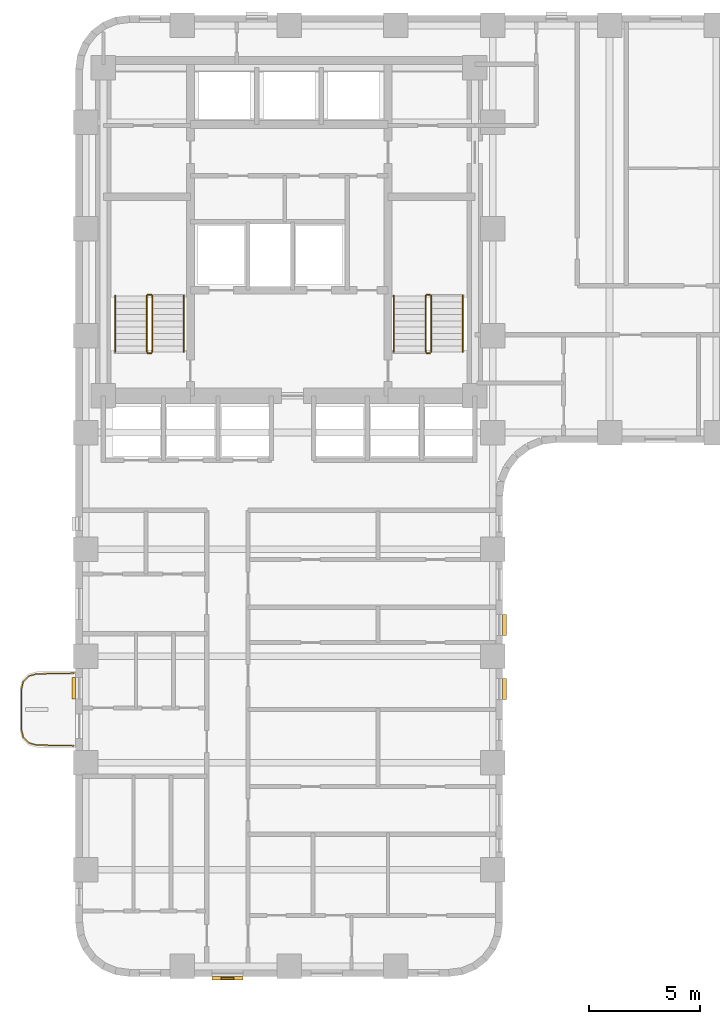
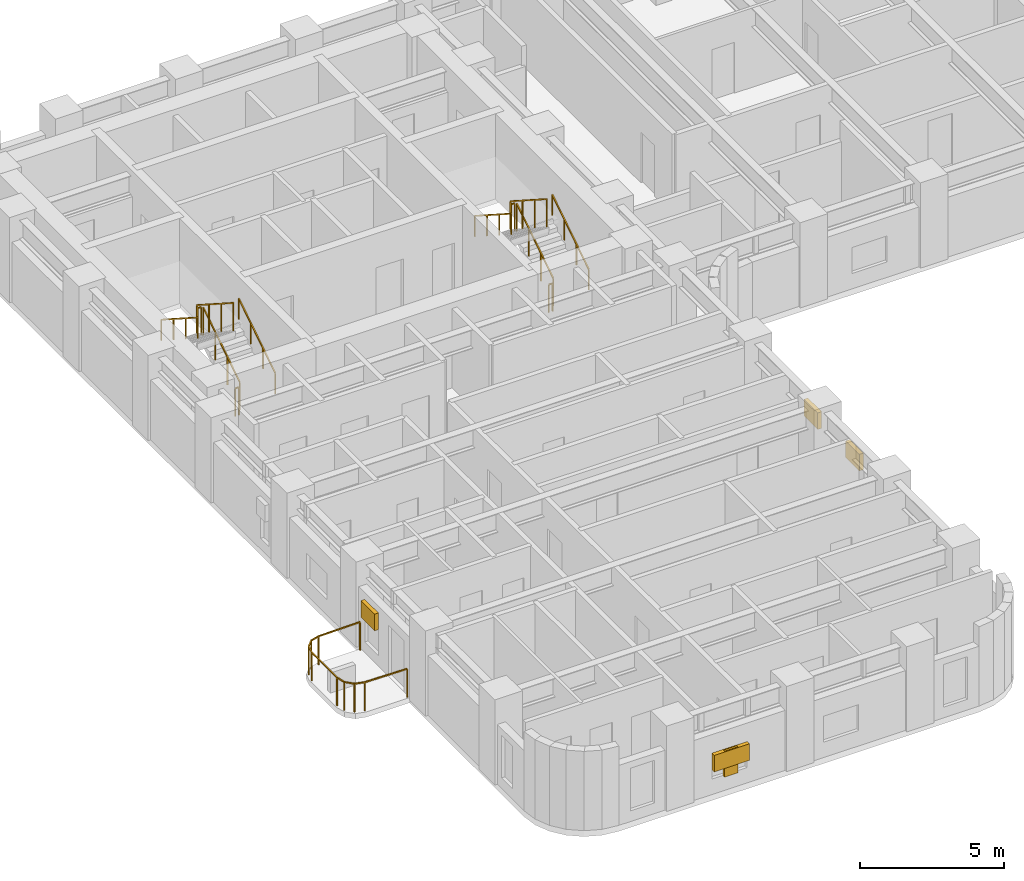
# One storey, part 9 of 12: 13 railings, 5 shading devices.
"""IFC4 building model written with IfcOpenShell, lengths in metres."""

from ifc_helpers import new_model, si_unit, direction, frame, origin, origin_2d, place, context, subcontext, project, spatial, rectangle, extrude, material, type_object, element, save


model = new_model("IFC4")

# Units and contexts
model_context = context("Model", 3, precision=1e-05, world=origin(), true_north=direction((0.0, 1.0)))
body_context = subcontext(model_context, "Body", "Model", "MODEL_VIEW")
ifc_project = project(units=[si_unit("LENGTHUNIT", "METRE"), si_unit("AREAUNIT", "SQUARE_METRE"), si_unit("VOLUMEUNIT", "CUBIC_METRE"), si_unit("PLANEANGLEUNIT", "RADIAN"), si_unit("MASSUNIT", "GRAM", prefix="KILO")], contexts=[model_context])

# Site, building, storey
site_placement = place(None, origin())
site = spatial("IfcSite", under=ifc_project, at=site_placement, CompositionType="ELEMENT")
building_placement = place(site_placement, origin())
building = spatial("IfcBuilding", under=site, at=building_placement, Name="Orvandelia Arch Residences", CompositionType="ELEMENT")
storey_placement = place(building_placement, frame((0.0, 0.0, 35.800048828125)))
storey = spatial("IfcBuildingStorey", under=building, at=storey_placement, Name="L08", CompositionType="ELEMENT", Elevation=35.800048828125)

# Railings
ifc_material_1 = material(Name="Marine-Grade Stainless Steel 316", Category="steel")
railing_type_1 = type_object("IfcRailingType", Name="GRD-BAL-1200", PredefinedType="BALUSTRADE", material=ifc_material_1)
railing_1_placement = place(storey_placement, frame((4.728271484375, 18.430419921875, 0.0)))
element("IfcRailing", 1, at=railing_1_placement, inside=storey, type_object=railing_type_1, Name="Safety Balustrade Guard GRD-L08-BAL-L08-W1-1", PredefinedType="BALUSTRADE", context=body_context, shape_type="SweptSolid", body=[
    extrude(rectangle(XDim=0.048095703125, YDim=0.048095703125, at=origin_2d()), frame((0.0, 0.0, 1.19580078125), z_axis=(-0.999834751713, -0.018178813668, 0.0), x_axis=(0.018178813668, -0.999834751713, 0.0)), (0.0, 0.0, 1.0), 1.6787109375),
    extrude(rectangle(XDim=0.048095703125, YDim=0.048095703125, at=origin_2d()), frame((-1.678466796875, -0.030517578125, 1.19580078125), z_axis=(-0.96348920644, -0.267747173792, 0.0), x_axis=(0.267747173792, -0.96348920644, 0.0)), (0.0, 0.0, 1.0), 0.36572265625),
    extrude(rectangle(XDim=0.048095703125, YDim=0.048095703125, at=origin_2d()), frame((-2.03076171875, -0.12841796875, 1.19580078125), z_axis=(-0.688627404251, -0.725115368831, 0.0), x_axis=(0.725115368831, -0.688627404251, 0.0)), (0.0, 0.0, 1.0), 0.367919921875),
    extrude(rectangle(XDim=0.048095703125, YDim=0.048095703125, at=origin_2d()), frame((-2.2841796875, -0.395263671875, 1.19580078125), z_axis=(-0.220602419982, -0.975363815352, 0.0), x_axis=(0.975363815352, -0.220602419982, 0.0)), (0.0, 0.0, 1.0), 0.373046875),
    extrude(rectangle(XDim=0.048095703125, YDim=0.048095703125, at=origin_2d()), frame((-2.366455078125, -0.759033203125, 1.19580078125), z_axis=(0.0, -1.0, 0.0), x_axis=(1.0, 0.0, 0.0)), (0.0, 0.0, 1.0), 1.74267578125),
    extrude(rectangle(XDim=0.048095703125, YDim=0.048095703125, at=origin_2d()), frame((-2.366455078125, -2.501708984375, 1.19580078125), z_axis=(0.220602419982, -0.975363815352, 0.0), x_axis=(0.975363815352, 0.220602419982, 0.0)), (0.0, 0.0, 1.0), 0.373046875),
    extrude(rectangle(XDim=0.048095703125, YDim=0.048095703125, at=origin_2d()), frame((-2.2841796875, -2.865478515625, 1.19580078125), z_axis=(0.688296224633, -0.725429739642, 0.0), x_axis=(0.725429739642, 0.688296224633, 0.0)), (0.0, 0.0, 1.0), 0.3681640625),
    extrude(rectangle(XDim=0.048095703125, YDim=0.048095703125, at=origin_2d()), frame((-2.03076171875, -3.132568359375, 1.19580078125), z_axis=(0.96348920644, -0.267747173792, 0.0), x_axis=(0.267747173792, 0.96348920644, 0.0)), (0.0, 0.0, 1.0), 0.36572265625),
    extrude(rectangle(XDim=0.048095703125, YDim=0.048095703125, at=origin_2d()), frame((-1.678466796875, -3.23046875, 1.19580078125), z_axis=(0.999837384468, -0.018033430643, 0.0), x_axis=(0.018033430643, 0.999837384468, 0.0)), (0.0, 0.0, 1.0), 1.6787109375),
    extrude(rectangle(XDim=0.0419921875, YDim=0.0419921875, at=origin_2d()), origin(), (0.0, 0.0, 1.0), 1.171875),
    extrude(rectangle(XDim=0.0419921875, YDim=0.0419921875, at=origin_2d()), frame((-1.678466796875, -0.030517578125, 0.0)), (0.0, 0.0, 1.0), 1.171875),
    extrude(rectangle(XDim=0.0419921875, YDim=0.0419921875, at=origin_2d()), frame((-2.03076171875, -0.12841796875, 0.0)), (0.0, 0.0, 1.0), 1.171875),
    extrude(rectangle(XDim=0.0419921875, YDim=0.0419921875, at=origin_2d()), frame((-2.2841796875, -0.395263671875, 0.0)), (0.0, 0.0, 1.0), 1.171875),
    extrude(rectangle(XDim=0.0419921875, YDim=0.0419921875, at=origin_2d()), frame((-2.366455078125, -0.759033203125, 0.0)), (0.0, 0.0, 1.0), 1.171875),
    extrude(rectangle(XDim=0.0419921875, YDim=0.0419921875, at=origin_2d()), frame((-2.366455078125, -2.501708984375, 0.0)), (0.0, 0.0, 1.0), 1.171875),
    extrude(rectangle(XDim=0.0419921875, YDim=0.0419921875, at=origin_2d()), frame((-2.2841796875, -2.865478515625, 0.0)), (0.0, 0.0, 1.0), 1.171875),
    extrude(rectangle(XDim=0.0419921875, YDim=0.0419921875, at=origin_2d()), frame((-2.03076171875, -3.132568359375, 0.0)), (0.0, 0.0, 1.0), 1.171875),
    extrude(rectangle(XDim=0.0419921875, YDim=0.0419921875, at=origin_2d()), frame((-1.678466796875, -3.23046875, 0.0)), (0.0, 0.0, 1.0), 1.171875),
    extrude(rectangle(XDim=0.0419921875, YDim=0.0419921875, at=origin_2d()), frame((0.0, -3.2607421875, 0.0)), (0.0, 0.0, 1.0), 1.171875),
])
ifc_material_2 = material(Name="Brushed Stainless Steel 304", Category="steel")
railing_type_2 = type_object("IfcRailingType", Name="RL-STAIR-GD1120", PredefinedType="GUARDRAIL", material=ifc_material_2)
railing_2_placement = place(storey_placement, frame((8.25, 32.8701171875, 0.179931640625)))
element("IfcRailing", 2, at=railing_2_placement, inside=storey, type_object=railing_type_2, Name="L08 ST-1 stair guard 1", PredefinedType="GUARDRAIL", context=body_context, shape_type="SweptSolid", body=[
    extrude(rectangle(XDim=0.048095703125, YDim=0.048095703125, at=origin_2d()), frame((0.0, 0.0, 1.17578125), z_axis=(0.0, 0.841138753965, 0.540819375188), x_axis=(-1.0, 0.0, 0.0)), (0.0, 0.0, 1.0), 2.99560546875),
    extrude(rectangle(XDim=0.0419921875, YDim=0.0419921875, at=origin_2d()), origin(), (0.0, 0.0, 1.0), 1.15185546875),
    extrude(rectangle(XDim=0.0419921875, YDim=0.0419921875, at=origin_2d()), frame((0.0, 0.83984375, 0.5400390625)), (0.0, 0.0, 1.0), 1.15185546875),
    extrude(rectangle(XDim=0.0419921875, YDim=0.0419921875, at=origin_2d()), frame((0.0, 1.679931640625, 1.080078125)), (0.0, 0.0, 1.0), 1.15185546875),
    extrude(rectangle(XDim=0.0419921875, YDim=0.0419921875, at=origin_2d()), frame((0.0, 2.519775390625, 1.6201171875)), (0.0, 0.0, 1.0), 1.15185546875),
])
railing_3_placement = place(storey_placement, frame((8.199951171875, 35.43994140625, 1.800048828125)))
element("IfcRailing", 3, at=railing_3_placement, inside=storey, type_object=railing_type_2, Name="L08 ST-1 stair guard 2", PredefinedType="GUARDRAIL", context=body_context, shape_type="SweptSolid", body=[
    extrude(rectangle(XDim=0.048095703125, YDim=0.048095703125, at=origin_2d()), frame((0.0, 0.0, 1.17578125), z_axis=(-1.0, 0.0, 0.0), x_axis=(0.0, -1.0, 0.0)), (0.0, 0.0, 1.0), 0.14990234375),
    extrude(rectangle(XDim=0.0419921875, YDim=0.0419921875, at=origin_2d()), origin(), (0.0, 0.0, 1.0), 1.15185546875),
    extrude(rectangle(XDim=0.0419921875, YDim=0.0419921875, at=origin_2d()), frame((-0.14990234375, 0.0, 0.0)), (0.0, 0.0, 1.0), 1.15185546875),
])
railing_4_placement = place(storey_placement, frame((8.0, 35.389892578125, 1.97998046875)))
element("IfcRailing", 4, at=railing_4_placement, inside=storey, type_object=railing_type_2, Name="L08 ST-1 stair guard 3", PredefinedType="GUARDRAIL", context=body_context, shape_type="SweptSolid", body=[
    extrude(rectangle(XDim=0.048095703125, YDim=0.048095703125, at=origin_2d()), frame((0.0, 0.0, 1.17578125), z_axis=(0.0, -0.841175827307, 0.540761710511), x_axis=(1.0, 0.0, 0.0)), (0.0, 0.0, 1.0), 2.99560546875),
    extrude(rectangle(XDim=0.0419921875, YDim=0.0419921875, at=origin_2d()), origin(), (0.0, 0.0, 1.0), 1.15185546875),
    extrude(rectangle(XDim=0.0419921875, YDim=0.0419921875, at=origin_2d()), frame((0.0, -0.83984375, 0.5400390625)), (0.0, 0.0, 1.0), 1.15185546875),
    extrude(rectangle(XDim=0.0419921875, YDim=0.0419921875, at=origin_2d()), frame((0.0, -1.679931640625, 1.079833984375)), (0.0, 0.0, 1.0), 1.15185546875),
    extrude(rectangle(XDim=0.0419921875, YDim=0.0419921875, at=origin_2d()), frame((0.0, -2.519775390625, 1.619873046875)), (0.0, 0.0, 1.0), 1.15185546875),
])
railing_5_placement = place(storey_placement, frame((8.199951171875, 32.820068359375, 0.0)))
element("IfcRailing", 5, at=railing_5_placement, inside=storey, type_object=railing_type_2, Name="L08 ST-1 stair guard 4", PredefinedType="GUARDRAIL", context=body_context, shape_type="SweptSolid", body=[
    extrude(rectangle(XDim=0.048095703125, YDim=0.048095703125, at=origin_2d()), frame((0.0, 0.0, 1.17578125), z_axis=(-1.0, 0.0, 0.0), x_axis=(0.0, -1.0, 0.0)), (0.0, 0.0, 1.0), 0.14990234375),
    extrude(rectangle(XDim=0.0419921875, YDim=0.0419921875, at=origin_2d()), origin(), (0.0, 0.0, 1.0), 1.15185546875),
    extrude(rectangle(XDim=0.0419921875, YDim=0.0419921875, at=origin_2d()), frame((-0.14990234375, 0.0, 0.0)), (0.0, 0.0, 1.0), 1.15185546875),
])
railing_6_placement = place(storey_placement, frame((20.780029296875, 32.8701171875, 0.179931640625)))
element("IfcRailing", 6, at=railing_6_placement, inside=storey, type_object=railing_type_2, Name="L08 ST-2 stair guard 1", PredefinedType="GUARDRAIL", context=body_context, shape_type="SweptSolid", body=[
    extrude(rectangle(XDim=0.048095703125, YDim=0.048095703125, at=origin_2d()), frame((0.0, 0.0, 1.17578125), z_axis=(0.0, 0.841138753965, 0.540819375188), x_axis=(-1.0, 0.0, 0.0)), (0.0, 0.0, 1.0), 2.99560546875),
    extrude(rectangle(XDim=0.0419921875, YDim=0.0419921875, at=origin_2d()), origin(), (0.0, 0.0, 1.0), 1.15185546875),
    extrude(rectangle(XDim=0.0419921875, YDim=0.0419921875, at=origin_2d()), frame((0.0, 0.83984375, 0.5400390625)), (0.0, 0.0, 1.0), 1.15185546875),
    extrude(rectangle(XDim=0.0419921875, YDim=0.0419921875, at=origin_2d()), frame((0.0, 1.679931640625, 1.080078125)), (0.0, 0.0, 1.0), 1.15185546875),
    extrude(rectangle(XDim=0.0419921875, YDim=0.0419921875, at=origin_2d()), frame((0.0, 2.519775390625, 1.6201171875)), (0.0, 0.0, 1.0), 1.15185546875),
])
railing_7_placement = place(storey_placement, frame((20.72998046875, 35.43994140625, 1.800048828125)))
element("IfcRailing", 7, at=railing_7_placement, inside=storey, type_object=railing_type_2, Name="L08 ST-2 stair guard 2", PredefinedType="GUARDRAIL", context=body_context, shape_type="SweptSolid", body=[
    extrude(rectangle(XDim=0.048095703125, YDim=0.048095703125, at=origin_2d()), frame((0.0, 0.0, 1.17578125), z_axis=(-1.0, 0.0, 0.0), x_axis=(0.0, -1.0, 0.0)), (0.0, 0.0, 1.0), 0.14990234375),
    extrude(rectangle(XDim=0.0419921875, YDim=0.0419921875, at=origin_2d()), origin(), (0.0, 0.0, 1.0), 1.15185546875),
    extrude(rectangle(XDim=0.0419921875, YDim=0.0419921875, at=origin_2d()), frame((-0.14990234375, 0.0, 0.0)), (0.0, 0.0, 1.0), 1.15185546875),
])
railing_8_placement = place(storey_placement, frame((20.530029296875, 35.389892578125, 1.97998046875)))
element("IfcRailing", 8, at=railing_8_placement, inside=storey, type_object=railing_type_2, Name="L08 ST-2 stair guard 3", PredefinedType="GUARDRAIL", context=body_context, shape_type="SweptSolid", body=[
    extrude(rectangle(XDim=0.048095703125, YDim=0.048095703125, at=origin_2d()), frame((0.0, 0.0, 1.17578125), z_axis=(0.0, -0.841175827307, 0.540761710511), x_axis=(1.0, 0.0, 0.0)), (0.0, 0.0, 1.0), 2.99560546875),
    extrude(rectangle(XDim=0.0419921875, YDim=0.0419921875, at=origin_2d()), origin(), (0.0, 0.0, 1.0), 1.15185546875),
    extrude(rectangle(XDim=0.0419921875, YDim=0.0419921875, at=origin_2d()), frame((0.0, -0.83984375, 0.5400390625)), (0.0, 0.0, 1.0), 1.15185546875),
    extrude(rectangle(XDim=0.0419921875, YDim=0.0419921875, at=origin_2d()), frame((0.0, -1.679931640625, 1.079833984375)), (0.0, 0.0, 1.0), 1.15185546875),
    extrude(rectangle(XDim=0.0419921875, YDim=0.0419921875, at=origin_2d()), frame((0.0, -2.519775390625, 1.619873046875)), (0.0, 0.0, 1.0), 1.15185546875),
])
railing_9_placement = place(storey_placement, frame((20.72998046875, 32.820068359375, 0.0)))
element("IfcRailing", 9, at=railing_9_placement, inside=storey, type_object=railing_type_2, Name="L08 ST-2 stair guard 4", PredefinedType="GUARDRAIL", context=body_context, shape_type="SweptSolid", body=[
    extrude(rectangle(XDim=0.048095703125, YDim=0.048095703125, at=origin_2d()), frame((0.0, 0.0, 1.17578125), z_axis=(-1.0, 0.0, 0.0), x_axis=(0.0, -1.0, 0.0)), (0.0, 0.0, 1.0), 0.14990234375),
    extrude(rectangle(XDim=0.0419921875, YDim=0.0419921875, at=origin_2d()), origin(), (0.0, 0.0, 1.0), 1.15185546875),
    extrude(rectangle(XDim=0.0419921875, YDim=0.0419921875, at=origin_2d()), frame((-0.14990234375, 0.0, 0.0)), (0.0, 0.0, 1.0), 1.15185546875),
])
railing_type_3 = type_object("IfcRailingType", Name="RL-STAIR-HR920", PredefinedType="HANDRAIL", material=ifc_material_2)
railing_10_placement = place(storey_placement, frame((9.669921875, 32.8701171875, 0.35986328125)))
element("IfcRailing", 10, at=railing_10_placement, inside=storey, type_object=railing_type_3, Name="L08 ST-1 stair handrail 1", PredefinedType="HANDRAIL", context=body_context, shape_type="SweptSolid", body=[
    extrude(rectangle(XDim=0.048095703125, YDim=0.048095703125, at=origin_2d()), frame((0.0, 0.0, 0.8759765625), z_axis=(0.0, 0.841138753965, 0.540819375188), x_axis=(-1.0, 0.0, 0.0)), (0.0, 0.0, 1.0), 2.99560546875),
    extrude(rectangle(XDim=0.0419921875, YDim=0.0419921875, at=origin_2d()), origin(), (0.0, 0.0, 1.0), 0.851806640625),
    extrude(rectangle(XDim=0.0419921875, YDim=0.0419921875, at=origin_2d()), frame((0.0, 0.83984375, 0.5400390625)), (0.0, 0.0, 1.0), 0.851806640625),
    extrude(rectangle(XDim=0.0419921875, YDim=0.0419921875, at=origin_2d()), frame((0.0, 1.679931640625, 1.080078125)), (0.0, 0.0, 1.0), 0.851806640625),
    extrude(rectangle(XDim=0.0419921875, YDim=0.0419921875, at=origin_2d()), frame((0.0, 2.519775390625, 1.6201171875)), (0.0, 0.0, 1.0), 0.851806640625),
])
railing_11_placement = place(storey_placement, frame((6.580078125, 35.389892578125, 2.159912109375)))
element("IfcRailing", 11, at=railing_11_placement, inside=storey, type_object=railing_type_3, Name="L08 ST-1 stair handrail 2", PredefinedType="HANDRAIL", context=body_context, shape_type="SweptSolid", body=[
    extrude(rectangle(XDim=0.048095703125, YDim=0.048095703125, at=origin_2d()), frame((0.0, 0.0, 0.8759765625), z_axis=(0.0, -0.841138753965, 0.540819375188), x_axis=(1.0, 0.0, 0.0)), (0.0, 0.0, 1.0), 2.99560546875),
    extrude(rectangle(XDim=0.0419921875, YDim=0.0419921875, at=origin_2d()), origin(), (0.0, 0.0, 1.0), 0.851806640625),
    extrude(rectangle(XDim=0.0419921875, YDim=0.0419921875, at=origin_2d()), frame((0.0, -0.83984375, 0.5400390625)), (0.0, 0.0, 1.0), 0.851806640625),
    extrude(rectangle(XDim=0.0419921875, YDim=0.0419921875, at=origin_2d()), frame((0.0, -1.679931640625, 1.080078125)), (0.0, 0.0, 1.0), 0.851806640625),
    extrude(rectangle(XDim=0.0419921875, YDim=0.0419921875, at=origin_2d()), frame((0.0, -2.519775390625, 1.6201171875)), (0.0, 0.0, 1.0), 0.851806640625),
])
railing_12_placement = place(storey_placement, frame((22.199951171875, 32.8701171875, 0.35986328125)))
element("IfcRailing", 12, at=railing_12_placement, inside=storey, type_object=railing_type_3, Name="L08 ST-2 stair handrail 1", PredefinedType="HANDRAIL", context=body_context, shape_type="SweptSolid", body=[
    extrude(rectangle(XDim=0.048095703125, YDim=0.048095703125, at=origin_2d()), frame((0.0, 0.0, 0.8759765625), z_axis=(0.0, 0.841138753965, 0.540819375188), x_axis=(-1.0, 0.0, 0.0)), (0.0, 0.0, 1.0), 2.99560546875),
    extrude(rectangle(XDim=0.0419921875, YDim=0.0419921875, at=origin_2d()), origin(), (0.0, 0.0, 1.0), 0.851806640625),
    extrude(rectangle(XDim=0.0419921875, YDim=0.0419921875, at=origin_2d()), frame((0.0, 0.83984375, 0.5400390625)), (0.0, 0.0, 1.0), 0.851806640625),
    extrude(rectangle(XDim=0.0419921875, YDim=0.0419921875, at=origin_2d()), frame((0.0, 1.679931640625, 1.080078125)), (0.0, 0.0, 1.0), 0.851806640625),
    extrude(rectangle(XDim=0.0419921875, YDim=0.0419921875, at=origin_2d()), frame((0.0, 2.519775390625, 1.6201171875)), (0.0, 0.0, 1.0), 0.851806640625),
])
railing_13_placement = place(storey_placement, frame((19.110107421875, 35.389892578125, 2.159912109375)))
element("IfcRailing", 13, at=railing_13_placement, inside=storey, type_object=railing_type_3, Name="L08 ST-2 stair handrail 2", PredefinedType="HANDRAIL", context=body_context, shape_type="SweptSolid", body=[
    extrude(rectangle(XDim=0.048095703125, YDim=0.048095703125, at=origin_2d()), frame((0.0, 0.0, 0.8759765625), z_axis=(0.0, -0.841138753965, 0.540819375188), x_axis=(1.0, 0.0, 0.0)), (0.0, 0.0, 1.0), 2.99560546875),
    extrude(rectangle(XDim=0.0419921875, YDim=0.0419921875, at=origin_2d()), origin(), (0.0, 0.0, 1.0), 0.851806640625),
    extrude(rectangle(XDim=0.0419921875, YDim=0.0419921875, at=origin_2d()), frame((0.0, -0.83984375, 0.5400390625)), (0.0, 0.0, 1.0), 0.851806640625),
    extrude(rectangle(XDim=0.0419921875, YDim=0.0419921875, at=origin_2d()), frame((0.0, -1.679931640625, 1.080078125)), (0.0, 0.0, 1.0), 0.851806640625),
    extrude(rectangle(XDim=0.0419921875, YDim=0.0419921875, at=origin_2d()), frame((0.0, -2.519775390625, 1.6201171875)), (0.0, 0.0, 1.0), 0.851806640625),
])

# Shading devices
ifc_material_3 = material(Name="Anodised Champagne-Bronze Extruded Aluminium", Category="aluminium")
shading_device_type_1 = type_object("IfcShadingDeviceType", Name="SHD-JALOUSIE-SCREEN", PredefinedType="JALOUSIE", material=ifc_material_3)
for number, where, z_axis, x_axis, name in (
    (14, (24.080078125, 17.715087890625, 1.5498046875), (0.0, 0.0, 1.0), (0.0, -1.0, 0.0), "Bronze Jalousie Sun-Shade L08-007"),
    (15, (24.080078125, 20.60498046875, 1.5498046875), (0.0, 0.0, 1.0), (0.0, -1.0, 0.0), "Bronze Jalousie Sun-Shade L08-008"),
):
    element("IfcShadingDevice", number, at=place(storey_placement, frame(where, z_axis=z_axis, x_axis=x_axis)), inside=storey, type_object=shading_device_type_1, Name=name, PredefinedType="JALOUSIE", context=body_context, shape_type="SweptSolid", body=[
        extrude(rectangle(XDim=0.949951171875, YDim=0.159912109375, at=origin_2d()), origin(), (0.0, 0.0, 1.0), 0.699951171875),
    ])
shading_device_1_placement = place(storey_placement, frame((11.625, 4.719970703125, 1.0498046875), z_axis=(0.0, 0.0, 1.0), x_axis=(-1.0, 0.0, 0.0)))
element("IfcShadingDevice", 16, at=shading_device_1_placement, inside=storey, type_object=shading_device_type_1, Name="Bronze Jalousie Sun-Shade L08-009", PredefinedType="JALOUSIE", context=body_context, shape_type="SweptSolid", body=[
    extrude(rectangle(XDim=1.39990234375, YDim=0.159912109375, at=origin_2d()), origin(), (0.0, 0.0, 1.0), 0.699951171875),
])
shading_device_2_placement = place(storey_placement, frame((4.719970703125, 17.751953125, 1.5498046875), z_axis=(0.0, 0.0, 1.0), x_axis=(0.0, 1.0, 0.0)))
element("IfcShadingDevice", 17, at=shading_device_2_placement, inside=storey, type_object=shading_device_type_1, Name="Bronze Jalousie Sun-Shade L08-010", PredefinedType="JALOUSIE", context=body_context, shape_type="SweptSolid", body=[
    extrude(rectangle(XDim=0.949951171875, YDim=0.159912109375, at=origin_2d()), origin(), (0.0, 0.0, 1.0), 0.699951171875),
])
ifc_material_4 = material(Name="Marine-Grade Perforated Aluminium Storm Shutter", Category="aluminium")
shading_device_type_2 = type_object("IfcShadingDeviceType", Name="SHD-STORM-SHUTTER", PredefinedType="SHUTTER", material=ifc_material_4)
shading_device_3_placement = place(storey_placement, frame((11.625, 4.719970703125, 0.64990234375), z_axis=(0.0, 0.0, 1.0), x_axis=(-1.0, 0.0, 0.0)))
element("IfcShadingDevice", 18, at=shading_device_3_placement, inside=storey, type_object=shading_device_type_2, Name="Operable Typhoon Storm Shutter L08-009", PredefinedType="SHUTTER", context=body_context, shape_type="SweptSolid", body=[
    extrude(rectangle(XDim=0.550048828125, YDim=0.080078125, at=origin_2d()), origin(), (0.0, 0.0, 1.0), 1.10009765625),
])

save(model, "model.ifc")
